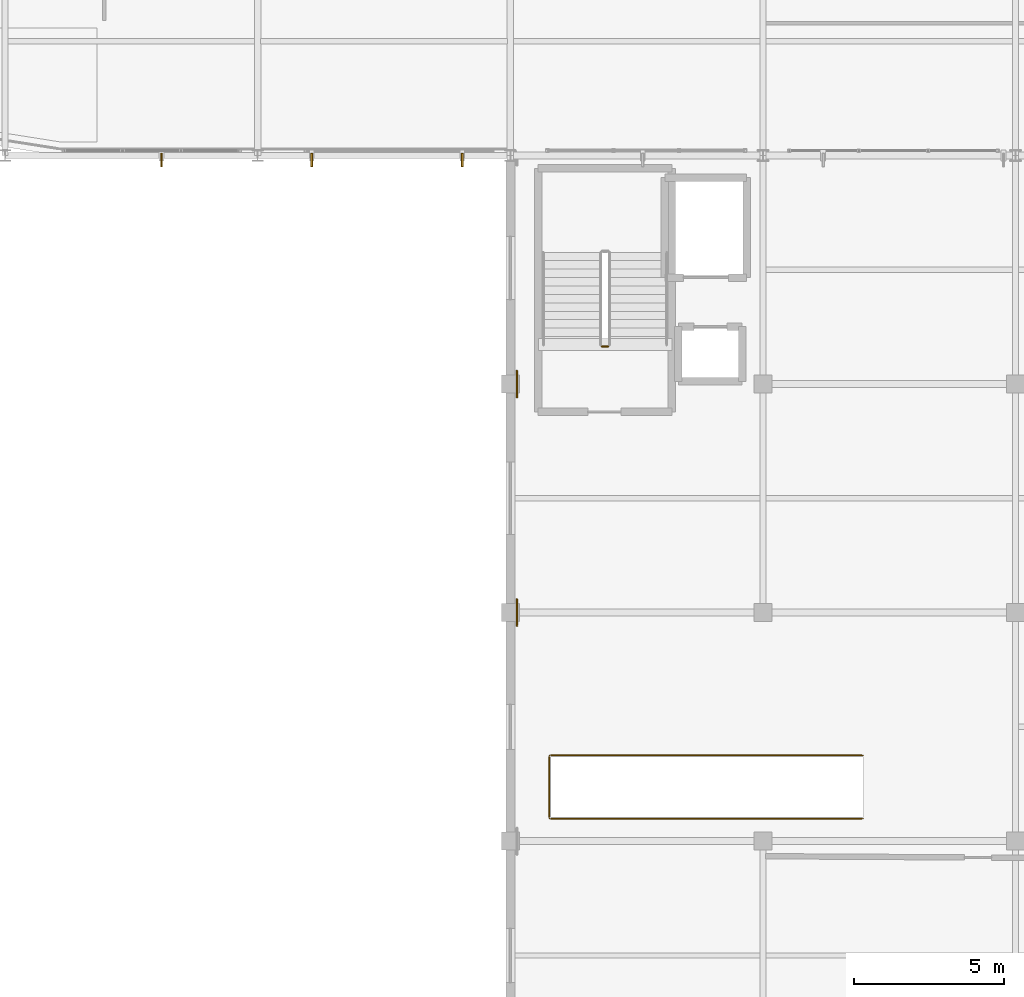
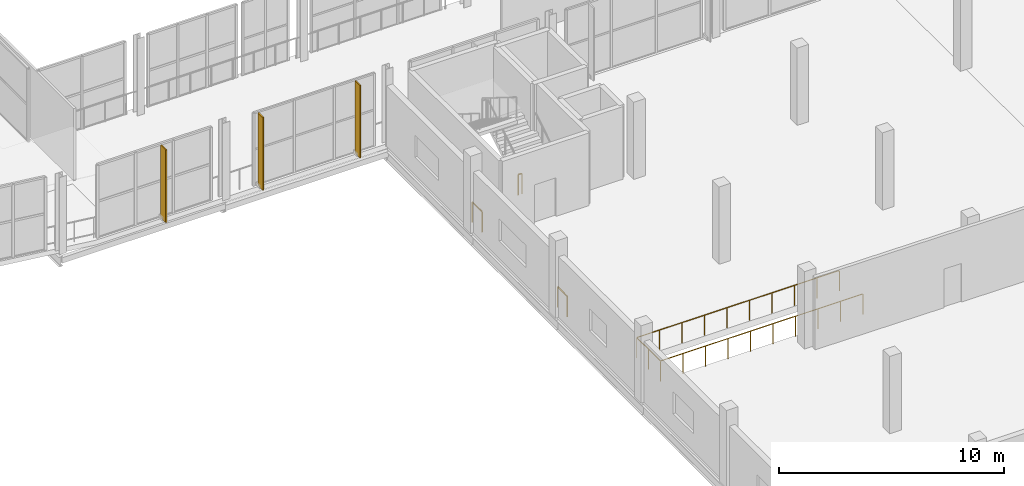
# One storey, part 204 of 217: 4 railings, 3 shading devices.
"""IFC4 building model written with IfcOpenShell, lengths in metres."""

from ifc_helpers import new_model, si_unit, direction, frame, origin, origin_2d, place, context, subcontext, project, spatial, rectangle, circle, extrude, material, type_object, element, save


model = new_model("IFC4")

# Units and contexts
model_context = context("Model", 3, precision=1e-05, world=origin(), true_north=direction((0.0, 1.0)))
body_context = subcontext(model_context, "Body", "Model", "MODEL_VIEW")
ifc_project = project(units=[si_unit("LENGTHUNIT", "METRE"), si_unit("AREAUNIT", "SQUARE_METRE"), si_unit("VOLUMEUNIT", "CUBIC_METRE"), si_unit("PLANEANGLEUNIT", "RADIAN"), si_unit("MASSUNIT", "GRAM", prefix="KILO")], contexts=[model_context])

# Site, building, storey
site_placement = place(None, origin())
site = spatial("IfcSite", under=ifc_project, at=site_placement, CompositionType="ELEMENT")
building_placement = place(site_placement, origin())
building = spatial("IfcBuilding", under=site, at=building_placement, Name="Zuvorla Pavilion Media Centre", CompositionType="ELEMENT")
storey_placement = place(building_placement, frame((0.0, 0.0, 9.60009765625)))
storey = spatial("IfcBuildingStorey", under=building, at=storey_placement, Name="L02", CompositionType="ELEMENT", Elevation=9.60009765625)

# Railings
ifc_material_1 = material(Name="Powder-coated steel balustrade guard", Category="steel")
railing_type = type_object("IfcRailingType", Name="RL-INT-GRD", PredefinedType="BALUSTRADE", material=ifc_material_1)
railing_1_placement = place(storey_placement, frame((44.85009765625, 37.64990234375, 0.0)))
element("IfcRailing", 1, at=railing_1_placement, inside=storey, type_object=railing_type, Name="L02 ST-03 stair guard 4", PredefinedType="BALUSTRADE", context=body_context, shape_type="SweptSolid", body=[
    extrude(circle(Radius=0.02392578125, at=origin_2d()), frame((-0.02880859375, 0.0, 1.09619140625), z_axis=(-1.0, 0.0, 0.0), x_axis=(0.0, -1.0, 0.0)), (0.0, 0.0, 1.0), 0.142578125),
    extrude(circle(Radius=0.02099609375, at=origin_2d()), origin(), (0.0, 0.0, 1.0), 1.070068359375),
    extrude(circle(Radius=0.02099609375, at=origin_2d()), frame((-0.2001953125, 0.0, 0.0)), (0.0, 0.0, 1.0), 1.070068359375),
])
railing_2_placement = place(storey_placement, frame((53.320068359375, 21.949951171875, 0.0)))
element("IfcRailing", 2, at=railing_2_placement, inside=storey, type_object=railing_type, Name="L02 ST-08 well guard", PredefinedType="BALUSTRADE", context=body_context, shape_type="SweptSolid", body=[
    extrude(circle(Radius=0.02392578125, at=origin_2d()), frame((-0.02880859375, 0.0, 1.09619140625), z_axis=(-1.0, 0.0, 0.0), x_axis=(0.0, -1.0, 0.0)), (0.0, 0.0, 1.0), 10.362548828125),
    extrude(circle(Radius=0.02392578125, at=origin_2d()), frame((-10.420166015625, 0.02880859375, 1.09619140625), z_axis=(0.0, 1.0, 0.0), x_axis=(-1.0, 0.0, 0.0)), (0.0, 0.0, 1.0), 2.04248046875),
    extrude(circle(Radius=0.02392578125, at=origin_2d()), frame((-10.391357421875, 2.10009765625, 1.09619140625), z_axis=(1.0, 0.0, 0.0), x_axis=(0.0, 1.0, 0.0)), (0.0, 0.0, 1.0), 10.362548828125),
    extrude(circle(Radius=0.02099609375, at=origin_2d()), origin(), (0.0, 0.0, 1.0), 1.070068359375),
    extrude(circle(Radius=0.02099609375, at=origin_2d()), frame((-1.15771484375, 0.0, 0.0)), (0.0, 0.0, 1.0), 1.070068359375),
    extrude(circle(Radius=0.02099609375, at=origin_2d()), frame((-2.315673828125, 0.0, 0.0)), (0.0, 0.0, 1.0), 1.070068359375),
    extrude(circle(Radius=0.02099609375, at=origin_2d()), frame((-3.473388671875, 0.0, 0.0)), (0.0, 0.0, 1.0), 1.070068359375),
    extrude(circle(Radius=0.02099609375, at=origin_2d()), frame((-4.631103515625, 0.0, 0.0)), (0.0, 0.0, 1.0), 1.070068359375),
    extrude(circle(Radius=0.02099609375, at=origin_2d()), frame((-5.7890625, 0.0, 0.0)), (0.0, 0.0, 1.0), 1.070068359375),
    extrude(circle(Radius=0.02099609375, at=origin_2d()), frame((-6.94677734375, 0.0, 0.0)), (0.0, 0.0, 1.0), 1.070068359375),
    extrude(circle(Radius=0.02099609375, at=origin_2d()), frame((-8.1044921875, 0.0, 0.0)), (0.0, 0.0, 1.0), 1.070068359375),
    extrude(circle(Radius=0.02099609375, at=origin_2d()), frame((-9.262451171875, 0.0, 0.0)), (0.0, 0.0, 1.0), 1.070068359375),
    extrude(circle(Radius=0.02099609375, at=origin_2d()), frame((-10.420166015625, 0.0, 0.0)), (0.0, 0.0, 1.0), 1.070068359375),
    extrude(circle(Radius=0.02099609375, at=origin_2d()), frame((-10.420166015625, 1.050048828125, 0.0)), (0.0, 0.0, 1.0), 1.070068359375),
    extrude(circle(Radius=0.02099609375, at=origin_2d()), frame((-10.420166015625, 2.10009765625, 0.0)), (0.0, 0.0, 1.0), 1.070068359375),
    extrude(circle(Radius=0.02099609375, at=origin_2d()), frame((-9.262451171875, 2.10009765625, 0.0)), (0.0, 0.0, 1.0), 1.070068359375),
    extrude(circle(Radius=0.02099609375, at=origin_2d()), frame((-8.1044921875, 2.10009765625, 0.0)), (0.0, 0.0, 1.0), 1.070068359375),
    extrude(circle(Radius=0.02099609375, at=origin_2d()), frame((-6.94677734375, 2.10009765625, 0.0)), (0.0, 0.0, 1.0), 1.070068359375),
    extrude(circle(Radius=0.02099609375, at=origin_2d()), frame((-5.7890625, 2.10009765625, 0.0)), (0.0, 0.0, 1.0), 1.070068359375),
    extrude(circle(Radius=0.02099609375, at=origin_2d()), frame((-4.631103515625, 2.10009765625, 0.0)), (0.0, 0.0, 1.0), 1.070068359375),
    extrude(circle(Radius=0.02099609375, at=origin_2d()), frame((-3.473388671875, 2.10009765625, 0.0)), (0.0, 0.0, 1.0), 1.070068359375),
    extrude(circle(Radius=0.02099609375, at=origin_2d()), frame((-2.315673828125, 2.10009765625, 0.0)), (0.0, 0.0, 1.0), 1.070068359375),
    extrude(circle(Radius=0.02099609375, at=origin_2d()), frame((-1.15771484375, 2.10009765625, 0.0)), (0.0, 0.0, 1.0), 1.070068359375),
    extrude(circle(Radius=0.02099609375, at=origin_2d()), frame((0.0, 2.10009765625, 0.0)), (0.0, 0.0, 1.0), 1.070068359375),
])
railing_3_placement = place(storey_placement, frame((41.820068359375, 28.360107421875, 0.0)))
element("IfcRailing", 3, at=railing_3_placement, inside=storey, type_object=railing_type, Name="L02 slab edge guard 80", PredefinedType="BALUSTRADE", context=body_context, shape_type="SweptSolid", body=[
    extrude(circle(Radius=0.02392578125, at=origin_2d()), frame((0.0, 0.02880859375, 1.09619140625), z_axis=(0.0, 1.0, 0.0), x_axis=(-1.0, 0.0, 0.0)), (0.0, 0.0, 1.0), 0.822265625),
    extrude(circle(Radius=0.02099609375, at=origin_2d()), origin(), (0.0, 0.0, 1.0), 1.070068359375),
    extrude(circle(Radius=0.02099609375, at=origin_2d()), frame((0.0, 0.8798828125, 0.0)), (0.0, 0.0, 1.0), 1.070068359375),
])
railing_4_placement = place(storey_placement, frame((41.820068359375, 35.9599609375, 0.0)))
element("IfcRailing", 4, at=railing_4_placement, inside=storey, type_object=railing_type, Name="L02 slab edge guard 81", PredefinedType="BALUSTRADE", context=body_context, shape_type="SweptSolid", body=[
    extrude(circle(Radius=0.02392578125, at=origin_2d()), frame((0.0, 0.02880859375, 1.09619140625), z_axis=(0.0, 1.0, 0.0), x_axis=(-1.0, 0.0, 0.0)), (0.0, 0.0, 1.0), 0.822509765625),
    extrude(circle(Radius=0.02099609375, at=origin_2d()), origin(), (0.0, 0.0, 1.0), 1.070068359375),
    extrude(circle(Radius=0.02099609375, at=origin_2d()), frame((0.0, 0.880126953125, 0.0)), (0.0, 0.0, 1.0), 1.070068359375),
])

# Shading devices
ifc_material_2 = material(Name="Anodised aluminium aerofoil brise-soleil fin", Category="aluminium")
shading_device_type = type_object("IfcShadingDeviceType", Name="SHD-FIN-ALU", PredefinedType="USERDEFINED", material=ifc_material_2)
for number, where, z_axis, x_axis, name in (
    (5, (30.0, 43.85009765625, 0.0), (0.0, 0.0, 1.0), (1.0, 0.0, 0.0), "L02 aluminium solar fin 1"),
    (6, (35.0, 43.85009765625, 0.0), (0.0, 0.0, 1.0), (1.0, 0.0, 0.0), "L02 aluminium solar fin 2"),
    (7, (40.0, 43.85009765625, 0.0), (0.0, 0.0, 1.0), (1.0, 0.0, 0.0), "L02 aluminium solar fin 3"),
):
    element("IfcShadingDevice", number, at=place(storey_placement, frame(where, z_axis=z_axis, x_axis=x_axis)), inside=storey, type_object=shading_device_type, Name=name, ObjectType="FIN", PredefinedType="USERDEFINED", context=body_context, shape_type="SweptSolid", body=[
        extrude(rectangle(XDim=0.06005859375, YDim=0.449951171875, at=origin_2d()), origin(), (0.0, 0.0, 1.0), 3.949951171875),
    ])

save(model, "model.ifc")
